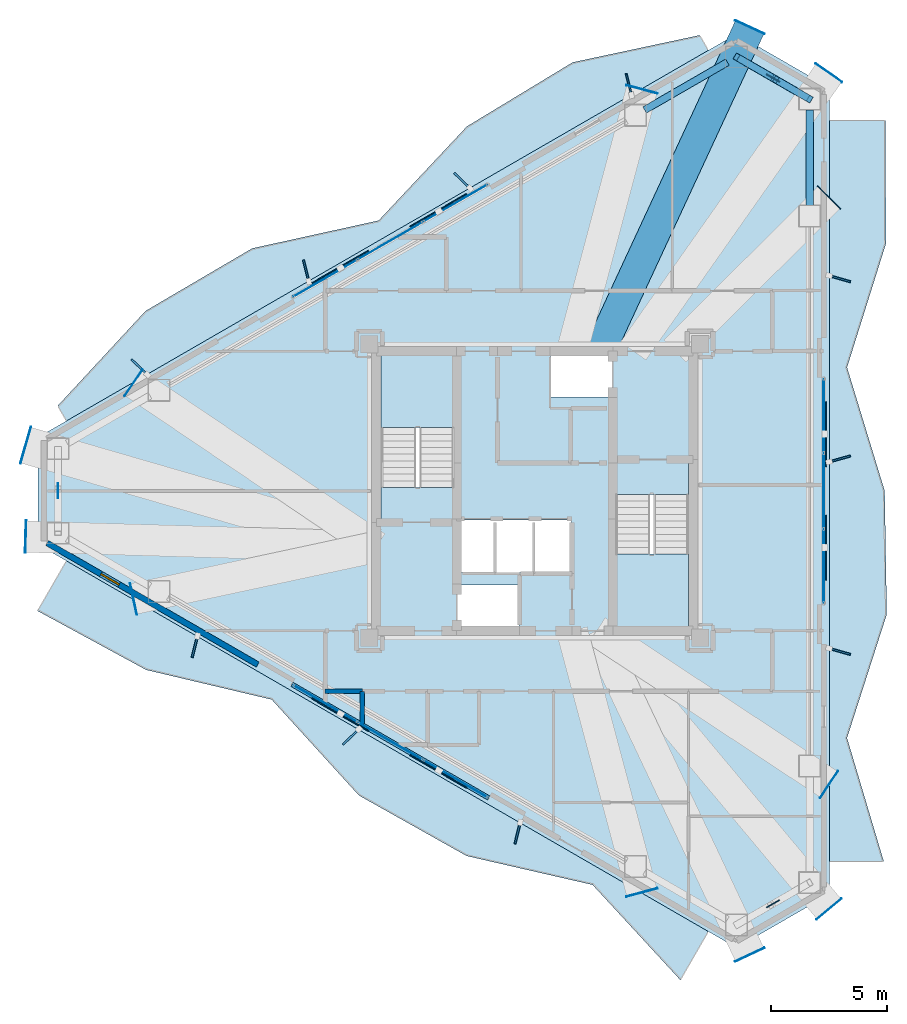
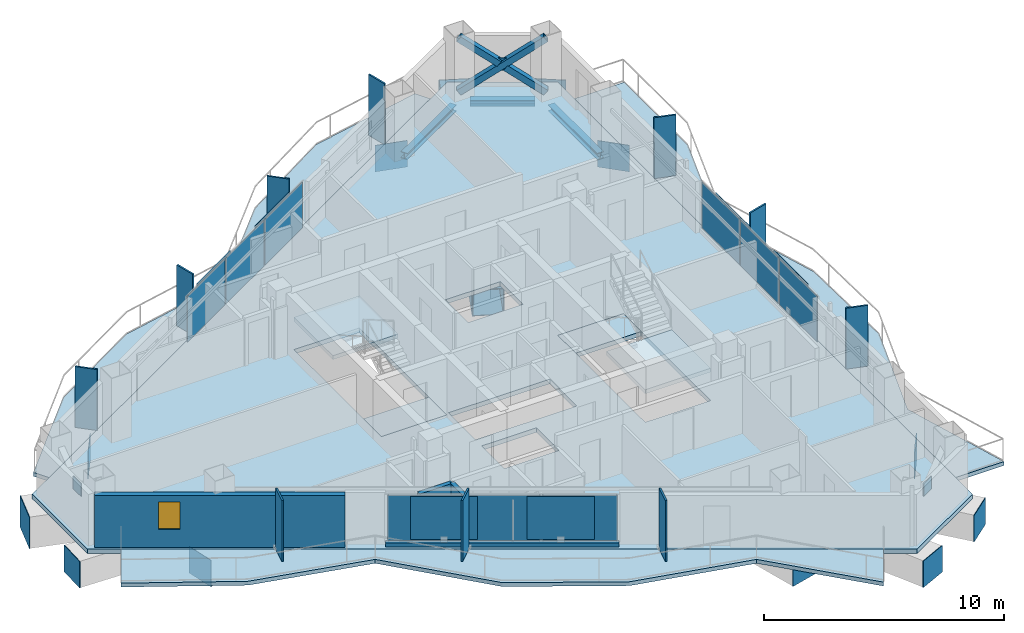
# One storey, part 16 of 22: 40 plates, 8 slabs, 4 beams, 4 walls, 3 members, 1 window, 1 opening, 5 elements without a shape of their own.
"""IFC4 building model written with IfcOpenShell, lengths in metres."""

from ifc_helpers import new_model, si_unit, direction, frame, frame_2d, origin, origin_2d, place, context, subcontext, project, spatial, polyline, rectangle, hollow_rectangle, i_section, outline, extrude, material, layer, layer_set, material_profile, profile_set, type_object, element, fill, aggregate, save


model = new_model("IFC4")

# Units and contexts
model_context = context("Model", 3, precision=1e-05, world=origin(), true_north=direction((0.0, 1.0)))
body_context = subcontext(model_context, "Body", "Model", "MODEL_VIEW")
ifc_project = project(units=[si_unit("LENGTHUNIT", "METRE"), si_unit("AREAUNIT", "SQUARE_METRE"), si_unit("VOLUMEUNIT", "CUBIC_METRE"), si_unit("PLANEANGLEUNIT", "RADIAN"), si_unit("MASSUNIT", "GRAM", prefix="KILO")], contexts=[model_context])

# Site, building, storey
site_placement = place(None, origin())
site = spatial("IfcSite", under=ifc_project, at=site_placement, CompositionType="ELEMENT")
building_placement = place(site_placement, origin())
building = spatial("IfcBuilding", under=site, at=building_placement, Name="Mersakhor Tower and Convention Hall", CompositionType="ELEMENT")
storey_placement = place(building_placement, frame((0.0, 0.0, 167.39990234375)))
storey = spatial("IfcBuildingStorey", under=building, at=storey_placement, Name="L46", CompositionType="ELEMENT", Elevation=167.39990234375)

# Beams
ifc_material_1 = material(Name="Steel S355", Category="steel")
ifc_material_profile_1 = material_profile(ifc_material_1, i_section(OverallWidth=0.30908203125, OverallDepth=0.320556640625, WebThickness=0.013916015625, FlangeThickness=0.021728515625, at=origin_2d()), Name="UC 305x305x137")
ifc_profile_set_1 = profile_set([ifc_material_profile_1], Name="Steel S355")
beam_type_1 = type_object("IfcBeamType", Name="BM-SPD-UC305", PredefinedType="SPANDREL", material=ifc_profile_set_1)
beam_1_placement = place(storey_placement, frame((33.71630859375, 43.102783203125, -0.39013671875), z_axis=(0.86602202897, 0.500005845305, 0.0), x_axis=(-0.500005845305, 0.86602202897, 0.0)))
element("IfcBeam", 1, at=beam_1_placement, inside=storey, type_object=beam_type_1, Name="L46 Perimeter Spandrel Beam SPB-03", PredefinedType="SPANDREL", context=body_context, shape_type="SweptSolid", body=[
    extrude(i_section(OverallWidth=0.30908203125, OverallDepth=0.320556640625, WebThickness=0.013916015625, FlangeThickness=0.021728515625, at=origin_2d()), origin(), (0.0, 0.0, 1.0), 4.1015625),
])
beam_2_placement = place(storey_placement, frame((38.056396484375, 45.153564453125, -0.39013671875), z_axis=(0.866050945225, -0.499955758317, 0.0), x_axis=(0.499955758317, 0.866050945225, 0.0)))
element("IfcBeam", 2, at=beam_2_placement, inside=storey, type_object=beam_type_1, Name="L46 Perimeter Spandrel Beam SPB-04", PredefinedType="SPANDREL", context=body_context, shape_type="SweptSolid", body=[
    extrude(i_section(OverallWidth=0.30908203125, OverallDepth=0.320556640625, WebThickness=0.013916015625, FlangeThickness=0.021728515625, at=origin_2d()), origin(), (0.0, 0.0, 1.0), 2.717529296875),
])
beam_3_placement = place(storey_placement, frame((40.8037109375, 43.1123046875, -0.39013671875), z_axis=(0.0, -1.0, 0.0), x_axis=(1.0, 0.0, 0.0)))
element("IfcBeam", 3, at=beam_3_placement, inside=storey, type_object=beam_type_1, Name="L46 Perimeter Spandrel Beam SPB-05", PredefinedType="SPANDREL", context=body_context, shape_type="SweptSolid", body=[
    extrude(i_section(OverallWidth=0.30908203125, OverallDepth=0.320556640625, WebThickness=0.013916015625, FlangeThickness=0.021728515625, at=origin_2d()), origin(), (0.0, 0.0, 1.0), 4.1015625),
])
ifc_material_2 = material(Name="Steel S460", Category="steel")
ifc_material_profile_2 = material_profile(ifc_material_2, hollow_rectangle(XDim=1.35009765625, YDim=1.35009765625, WallThickness=0.035888671875, at=origin_2d()), Name="SHS 1350x1350x36")
ifc_profile_set_2 = profile_set([ifc_material_profile_2], Name="Steel S460")
beam_type_2 = type_object("IfcBeamType", Name="BM-TR-BOX1350", PredefinedType="BEAM", material=ifc_profile_set_2)
beam_4_placement = place(storey_placement, frame((38.220458984375, 46.644775390625, -0.90478515625), z_axis=(-0.420496221776, -0.907294289342, 0.0), x_axis=(0.907294289342, -0.420496221776, 0.0)))
element("IfcBeam", 4, at=beam_4_placement, inside=storey, type_object=beam_type_2, Name="L46 Taper Step Transfer Girder STG-04", PredefinedType="BEAM", context=body_context, shape_type="SweptSolid", body=[
    extrude(hollow_rectangle(XDim=1.35009765625, YDim=1.35009765625, WallThickness=0.035888671875, at=origin_2d()), origin(), (0.0, 0.0, 1.0), 15.314453125),
])

# Members
ifc_material_3 = material(Name="Steel S355", Category="steel")
ifc_material_profile_3 = material_profile(ifc_material_3, hollow_rectangle(XDim=0.300048828125, YDim=0.300048828125, WallThickness=0.01611328125, at=origin_2d()), Name="SHS 300x300x16")
ifc_profile_set_3 = profile_set([ifc_material_profile_3], Name="Steel S355")
member_type = type_object("IfcMemberType", Name="MB-BRC-SHS300", PredefinedType="BRACE", material=ifc_profile_set_3)
member_1_placement = place(storey_placement, frame((37.662353515625, 45.381103515625, 0.150146484375), z_axis=(0.692864927455, -0.400038357508, 0.599922915736), x_axis=(0.500011816409, 0.86601858147, 0.0)))
element("IfcMember", 5, at=member_1_placement, inside=storey, type_object=member_type, Name="L46 Chamfer Braced Frame Diagonal CB-1A", PredefinedType="BRACE", context=body_context, shape_type="SweptSolid", body=[
    extrude(hollow_rectangle(XDim=0.300048828125, YDim=0.300048828125, WallThickness=0.01611328125, at=origin_2d()), origin(), (0.0, 0.0, 1.0), 4.533935546875),
])
member_2_placement = place(storey_placement, frame((40.8037109375, 43.5673828125, 0.150146484375), z_axis=(-0.69284958613, 0.400011198964, 0.599958741668), x_axis=(-0.499994660107, -0.866028486751, 0.0)))
element("IfcMember", 6, at=member_2_placement, inside=storey, type_object=member_type, Name="L46 Chamfer Braced Frame Diagonal CB-1B Lower Half", PredefinedType="BRACE", context=body_context, shape_type="SweptSolid", body=[
    extrude(hollow_rectangle(XDim=0.300048828125, YDim=0.300048828125, WallThickness=0.01611328125, at=origin_2d()), origin(), (0.0, 0.0, 1.0), 2.1025390625),
])
member_3_placement = place(storey_placement, frame((39.119140625, 44.539794921875, 1.608642578125), z_axis=(-0.692817403109, 0.400108726515, 0.599930873448), x_axis=(-0.500103501282, -0.865965639045, 0.0)))
element("IfcMember", 7, at=member_3_placement, inside=storey, type_object=member_type, Name="L46 Chamfer Braced Frame Diagonal CB-1B Upper Half", PredefinedType="BRACE", context=body_context, shape_type="SweptSolid", body=[
    extrude(hollow_rectangle(XDim=0.300048828125, YDim=0.300048828125, WallThickness=0.01611328125, at=origin_2d()), origin(), (0.0, 0.0, 1.0), 2.102783203125),
])

# Curtain wall, plates
ifc_material_4 = material(Name="Dark solar low-E aluminium curtain wall", Category="aluminium")
ifc_layer_1 = layer(ifc_material_4, 0.169921875)
ifc_layer_set_1 = layer_set([ifc_layer_1], Name="Dark solar low-E aluminium curtain wall")
curtain_wall_type = type_object("IfcCurtainWallType", Name="CW-SYS-02", PredefinedType="USERDEFINED", material=ifc_layer_set_1)
curtain_wall_1_placement = place(storey_placement, origin())
curtain_wall_1 = element("IfcCurtainWall", 8, at=curtain_wall_1_placement, inside=storey, type_object=curtain_wall_type, Name="L46 Dark-Glass Curtain Wall F1-B2", ObjectType="CURTAIN WALL", PredefinedType="USERDEFINED")
ifc_material_5 = material(Name="Dark solar double glazing", Category="glass")
ifc_layer_2 = layer(ifc_material_5, 0.028076171875)
ifc_layer_set_2 = layer_set([ifc_layer_2], Name="Dark solar double glazing")
plate_type_1 = type_object("IfcPlateType", Name="CWP-GLZ-28", PredefinedType="CURTAIN_PANEL", material=ifc_layer_set_2)
plate_1_placement = place(storey_placement, frame((20.001953125, 35.877685546875, 0.26025390625), z_axis=(0.0, 0.0, 1.0), x_axis=(0.866026278978, 0.499998484116, 0.0)))
plate_1 = element("IfcPlate", 9, at=plate_1_placement, type_object=plate_type_1, Name="CW-02 panel 1.1", PredefinedType="CURTAIN_PANEL", context=body_context, shape_type="SweptSolid", body=[
    extrude(rectangle(XDim=3.135009765625, YDim=0.028076171875, at=origin_2d()), origin(), (0.0, 0.0, 1.0), 2.320068359375),
])
plate_2_placement = place(storey_placement, frame((22.798095703125, 37.491943359375, 0.26025390625), z_axis=(0.0, 0.0, 1.0), x_axis=(0.866026278978, 0.499998484116, 0.0)))
plate_2 = element("IfcPlate", 10, at=plate_2_placement, type_object=plate_type_1, Name="CW-02 panel 2.1", PredefinedType="CURTAIN_PANEL", context=body_context, shape_type="SweptSolid", body=[
    extrude(rectangle(XDim=3.17236328125, YDim=0.028076171875, at=origin_2d()), origin(), (0.0, 0.0, 1.0), 2.320068359375),
])
plate_3_placement = place(storey_placement, frame((25.59423828125, 39.1064453125, 0.26025390625), z_axis=(0.0, 0.0, 1.0), x_axis=(0.866026278978, 0.499998484116, 0.0)))
plate_3 = element("IfcPlate", 11, at=plate_3_placement, type_object=plate_type_1, Name="CW-02 panel 3.1", PredefinedType="CURTAIN_PANEL", context=body_context, shape_type="SweptSolid", body=[
    extrude(rectangle(XDim=3.135009765625, YDim=0.028076171875, at=origin_2d()), origin(), (0.0, 0.0, 1.0), 2.320068359375),
])
aggregate(curtain_wall_1, [plate_1, plate_2, plate_3])

curtain_wall_2_placement = place(storey_placement, origin())
curtain_wall_2 = element("IfcCurtainWall", 12, at=curtain_wall_2_placement, inside=storey, type_object=curtain_wall_type, Name="L46 Dark-Glass Curtain Wall F2-B2", ObjectType="CURTAIN WALL", PredefinedType="USERDEFINED")
plate_4_placement = place(storey_placement, frame((41.40380859375, 29.978759765625, 0.26025390625), z_axis=(0.0, 0.0, 1.0), x_axis=(0.0, -1.0, 0.0)))
plate_4 = element("IfcPlate", 13, at=plate_4_placement, type_object=plate_type_1, Name="CW-02 panel 1.1", PredefinedType="CURTAIN_PANEL", context=body_context, shape_type="SweptSolid", body=[
    extrude(rectangle(XDim=3.135009765625, YDim=0.028076171875, at=origin_2d()), origin(), (0.0, 0.0, 1.0), 2.320068359375),
])
plate_5_placement = place(storey_placement, frame((41.40380859375, 26.75, 0.26025390625), z_axis=(0.0, 0.0, 1.0), x_axis=(0.0, -1.0, 0.0)))
plate_5 = element("IfcPlate", 14, at=plate_5_placement, type_object=plate_type_1, Name="CW-02 panel 2.1", PredefinedType="CURTAIN_PANEL", context=body_context, shape_type="SweptSolid", body=[
    extrude(rectangle(XDim=3.17236328125, YDim=0.028076171875, at=origin_2d()), origin(), (0.0, 0.0, 1.0), 2.320068359375),
])
plate_6_placement = place(storey_placement, frame((41.40380859375, 23.521240234375, 0.26025390625), z_axis=(0.0, 0.0, 1.0), x_axis=(0.0, -1.0, 0.0)))
plate_6 = element("IfcPlate", 15, at=plate_6_placement, type_object=plate_type_1, Name="CW-02 panel 3.1", PredefinedType="CURTAIN_PANEL", context=body_context, shape_type="SweptSolid", body=[
    extrude(rectangle(XDim=3.135009765625, YDim=0.028076171875, at=origin_2d()), origin(), (0.0, 0.0, 1.0), 2.320068359375),
])
aggregate(curtain_wall_2, [plate_4, plate_5, plate_6])

curtain_wall_3_placement = place(storey_placement, origin())
curtain_wall_3 = element("IfcCurtainWall", 16, at=curtain_wall_3_placement, inside=storey, type_object=curtain_wall_type, Name="L46 Dark-Glass Curtain Wall F3-B2", ObjectType="CURTAIN WALL", PredefinedType="USERDEFINED")
plate_7_placement = place(storey_placement, frame((25.59423828125, 14.3935546875, 0.26025390625), z_axis=(0.0, 0.0, 1.0), x_axis=(-0.866026278978, 0.499998484116, 0.0)))
plate_7 = element("IfcPlate", 17, at=plate_7_placement, type_object=plate_type_1, Name="CW-02 panel 1.1", PredefinedType="CURTAIN_PANEL", context=body_context, shape_type="SweptSolid", body=[
    extrude(rectangle(XDim=3.135009765625, YDim=0.028076171875, at=origin_2d()), origin(), (0.0, 0.0, 1.0), 2.320068359375),
])
plate_8_placement = place(storey_placement, frame((22.798095703125, 16.008056640625, 0.26025390625), z_axis=(0.0, 0.0, 1.0), x_axis=(-0.866026278978, 0.499998484116, 0.0)))
plate_8 = element("IfcPlate", 18, at=plate_8_placement, type_object=plate_type_1, Name="CW-02 panel 2.1", PredefinedType="CURTAIN_PANEL", context=body_context, shape_type="SweptSolid", body=[
    extrude(rectangle(XDim=3.17236328125, YDim=0.028076171875, at=origin_2d()), origin(), (0.0, 0.0, 1.0), 2.320068359375),
])
plate_9_placement = place(storey_placement, frame((20.001953125, 17.622314453125, 0.26025390625), z_axis=(0.0, 0.0, 1.0), x_axis=(-0.866026278978, 0.499998484116, 0.0)))
plate_9 = element("IfcPlate", 19, at=plate_9_placement, type_object=plate_type_1, Name="CW-02 panel 3.1", PredefinedType="CURTAIN_PANEL", context=body_context, shape_type="SweptSolid", body=[
    extrude(rectangle(XDim=3.135009765625, YDim=0.028076171875, at=origin_2d()), origin(), (0.0, 0.0, 1.0), 2.320068359375),
])
aggregate(curtain_wall_3, [plate_7, plate_8, plate_9])

# Plates
ifc_material_6 = material(Name="Steel S355", Category="steel")
ifc_layer_3 = layer(ifc_material_6, 0.031982421875)
ifc_layer_set_3 = layer_set([ifc_layer_3], Name="Steel S355")
plate_type_2 = type_object("IfcPlateType", Name="PL-CAP-32", PredefinedType="SHEET", material=ifc_layer_set_3)
plate_10_placement = place(storey_placement, frame((7.14501953125, 28.716796875, -1.829833984375), z_axis=(0.0, 0.0, 1.0), x_axis=(0.960439633437, -0.278488259221, 0.0)))
element("IfcPlate", 20, at=plate_10_placement, inside=storey, type_object=plate_type_2, Name="L46 Step Transfer End Cap Plate SCEP-01", PredefinedType="SHEET", context=body_context, shape_type="SweptSolid", body=[
    extrude(rectangle(XDim=0.031982421875, YDim=1.639892578125, at=origin_2d()), origin(), (0.0, 0.0, 1.0), 1.60009765625),
])
for number, where, z_axis, x_axis, name in (
    (21, (11.77490234375, 31.393310546875, -1.579833984375), (0.0, 0.0, 1.0), (0.828646980263, -0.559771544562, 0.0), "L46 Step Transfer End Cap Plate SCEP-02"),
    (22, (33.5966796875, 43.98828125, -1.579833984375), (0.0, 0.0, 1.0), (-0.257638751216, -0.966241312443, 0.0), "L46 Step Transfer End Cap Plate SCEP-03"),
    (23, (38.227294921875, 46.6591796875, -1.579833984375), (0.0, 0.0, 1.0), (-0.420560828539, -0.907264343782, 0.0), "L46 Step Transfer End Cap Plate SCEP-04"),
    (24, (41.62841796875, 44.69580078125, -1.579833984375), (0.0, 0.0, 1.0), (-0.575433555394, -0.817848533243, 0.0), "L46 Step Transfer End Cap Plate SCEP-05"),
    (25, (41.630615234375, 39.35009765625, -1.579833984375), (0.0, 0.0, 1.0), (-0.707970147154, -0.706242359774, 0.0), "L46 Step Transfer End Cap Plate SCEP-06"),
    (26, (41.632568359375, 14.152587890625, -1.579833984375), (0.0, 0.0, 1.0), (-0.834270943529, 0.551354688728, 0.0), "L46 Step Transfer End Cap Plate SCEP-07"),
    (27, (41.62939453125, 8.80517578125, -1.579833984375), (0.0, 0.0, 1.0), (-0.641181801339, 0.767389013234, 0.0), "L46 Step Transfer End Cap Plate SCEP-08"),
    (28, (38.227294921875, 6.8408203125, -1.579833984375), (0.0, 0.0, 1.0), (-0.427515649049, 0.904007947873, 0.0), "L46 Step Transfer End Cap Plate SCEP-09"),
    (29, (33.5966796875, 9.51171875, -1.579833984375), (0.0, 0.0, 1.0), (-0.257638751216, 0.966241312443, 0.0), "L46 Step Transfer End Cap Plate SCEP-10"),
    (30, (11.772705078125, 22.1123046875, -1.579833984375), (0.0, 0.0, 1.0), (0.977746636525, 0.209789215079, 0.0), "L46 Step Transfer End Cap Plate SCEP-11"),
    (31, (7.144287109375, 24.7880859375, -1.579833984375), (0.0, 0.0, 1.0), (0.99957525631, -0.029142871724, 0.0), "L46 Step Transfer End Cap Plate SCEP-12"),
):
    element("IfcPlate", number, at=place(storey_placement, frame(where, z_axis=z_axis, x_axis=x_axis)), inside=storey, type_object=plate_type_2, Name=name, PredefinedType="SHEET", context=body_context, shape_type="SweptSolid", body=[
        extrude(rectangle(XDim=0.031982421875, YDim=1.389892578125, at=origin_2d()), origin(), (0.0, 0.0, 1.0), 1.35009765625),
    ])
ifc_material_7 = material(Name="Ceramic-clad aluminium Zone 4 terracotta-coral", Category="masonry")
ifc_material_8 = material(Name="Ceramic-clad aluminium Zone 1 cobalt-slate", Category="masonry")
ifc_layer_4 = layer(ifc_material_8, 0.080078125)
ifc_layer_set_4 = layer_set([ifc_layer_4], Name="Ceramic-clad aluminium Zone 1 cobalt-slate")
plate_type_3 = type_object("IfcPlateType", Name="PL-FIN-80", PredefinedType="USERDEFINED", material=ifc_layer_set_4)
for number, where, z_axis, x_axis, name in (
    (32, (12.02880859375, 32.067138671875, 0.0), (0.0, 0.0, 1.0), (-0.719339800339, 0.694658370459, 0.0), "L46 Zone 4 Coloured Brise-Soleil Fin F1-1"),
    (33, (19.18359375, 36.197998046875, 0.0), (0.0, 0.0, 1.0), (-0.2419218956, 0.970295726276, 0.0), "L46 Zone 4 Coloured Brise-Soleil Fin F1-2"),
    (34, (25.88525390625, 40.067138671875, 0.0), (0.0, 0.0, 1.0), (-0.719339800339, 0.694658370459, 0.0), "L46 Zone 4 Coloured Brise-Soleil Fin F1-3"),
    (35, (33.0400390625, 44.197998046875, 0.0), (0.0, 0.0, 1.0), (-0.2419218956, 0.970295726276, 0.0), "L46 Zone 4 Coloured Brise-Soleil Fin F1-4"),
    (36, (42.09033203125, 35.8603515625, 0.0), (0.0, 0.0, 1.0), (0.961261695938, -0.275637355817, 0.0), "L46 Zone 4 Coloured Brise-Soleil Fin F2-1"),
    (37, (42.09033203125, 28.122314453125, 0.0), (0.0, 0.0, 1.0), (0.961261695938, 0.275637355817, 0.0), "L46 Zone 4 Coloured Brise-Soleil Fin F2-2"),
    (38, (42.09033203125, 19.8603515625, 0.0), (0.0, 0.0, 1.0), (0.961261695938, -0.275637355817, 0.0), "L46 Zone 4 Coloured Brise-Soleil Fin F2-3"),
    (39, (28.261962890625, 12.060546875, 0.0), (0.0, 0.0, 1.0), (-0.2419218956, -0.970295726276, 0.0), "L46 Zone 4 Coloured Brise-Soleil Fin F3-1"),
    (40, (21.107177734375, 16.19140625, 0.0), (0.0, 0.0, 1.0), (-0.719339800339, -0.694658370459, 0.0), "L46 Zone 4 Coloured Brise-Soleil Fin F3-2"),
    (41, (14.405517578125, 20.060546875, 0.0), (0.0, 0.0, 1.0), (-0.2419218956, -0.970295726276, 0.0), "L46 Zone 4 Coloured Brise-Soleil Fin F3-3"),
):
    element("IfcPlate", number, at=place(storey_placement, frame(where, z_axis=z_axis, x_axis=x_axis)), inside=storey, type_object=plate_type_3, material=ifc_material_7, Name=name, ObjectType="FIN", PredefinedType="USERDEFINED", context=body_context, shape_type="SweptSolid", body=[
        extrude(rectangle(XDim=0.949951171875, YDim=0.080078125, at=origin_2d()), origin(), (0.0, 0.0, 1.0), 3.10009765625),
    ])
ifc_material_9 = material(Name="Steel S460", Category="steel")
ifc_layer_5 = layer(ifc_material_9, 0.0400390625)
ifc_layer_set_5 = layer_set([ifc_layer_5], Name="Steel S460")
plate_type_4 = type_object("IfcPlateType", Name="PL-GUSSET-40", PredefinedType="SHEET", material=ifc_layer_set_5)
for number, where, z_axis, x_axis, name in (
    (42, (39.233154296875, 44.47412109375, 1.18994140625), (0.0, 0.0, 1.0), (-0.866025403784, 0.5, 0.0), "L46 X-Brace Crossing Gusset Node Plate"),
    (43, (39.233154296875, 9.02587890625, 1.18994140625), (0.0, 0.0, 1.0), (0.866025403784, 0.5, 0.0), "L46 X-Brace Crossing Gusset Node Plate"),
    (44, (8.533935546875, 26.75, 1.18994140625), (0.0, 0.0, 1.0), (0.0, -1.0, 0.0), "L46 X-Brace Crossing Gusset Node Plate"),
):
    element("IfcPlate", number, at=place(storey_placement, frame(where, z_axis=z_axis, x_axis=x_axis)), inside=storey, type_object=plate_type_4, Name=name, PredefinedType="SHEET", context=body_context, shape_type="SweptSolid", body=[
        extrude(rectangle(XDim=0.639892578125, YDim=0.0400390625, at=origin_2d()), origin(), (0.0, 0.0, 1.0), 0.639892578125),
    ])
ifc_material_10 = material(Name="Perforated ceramic cobogo solar screen", Category="aluminium")
ifc_layer_6 = layer(ifc_material_10, 0.048095703125)
ifc_layer_set_6 = layer_set([ifc_layer_6], Name="Perforated ceramic cobogo solar screen")
plate_type_5 = type_object("IfcPlateType", Name="PL-SCR-48", PredefinedType="USERDEFINED", material=ifc_layer_set_6)
for number, where, z_axis, x_axis, name in (
    (45, (20.641845703125, 36.355712890625, 0.400146484375), (0.0, 0.0, 1.0), (0.866025403784, 0.5, 0.0), "L46 Perforated Ceramic Solar Screen F1-1"),
    (46, (24.8603515625, 38.791259765625, 0.400146484375), (0.0, 0.0, 1.0), (0.866025403784, 0.5, 0.0), "L46 Perforated Ceramic Solar Screen F1-2"),
    (47, (41.497802734375, 29.185546875, 0.400146484375), (0.0, 0.0, 1.0), (0.0, -1.0, 0.0), "L46 Perforated Ceramic Solar Screen F2-1"),
    (48, (41.497802734375, 24.314453125, 0.400146484375), (0.0, 0.0, 1.0), (0.0, -1.0, 0.0), "L46 Perforated Ceramic Solar Screen F2-2"),
    (49, (24.8603515625, 14.708740234375, 0.400146484375), (0.0, 0.0, 1.0), (-0.866025403784, 0.5, 0.0), "L46 Perforated Ceramic Solar Screen F3-1"),
    (50, (20.641845703125, 17.144287109375, 0.400146484375), (0.0, 0.0, 1.0), (-0.866025403784, 0.5, 0.0), "L46 Perforated Ceramic Solar Screen F3-2"),
):
    element("IfcPlate", number, at=place(storey_placement, frame(where, z_axis=z_axis, x_axis=x_axis)), inside=storey, type_object=plate_type_5, Name=name, ObjectType="SCREEN", PredefinedType="USERDEFINED", context=body_context, shape_type="SweptSolid", body=[
        extrude(rectangle(XDim=2.800048828125, YDim=0.048095703125, at=origin_2d()), origin(), (0.0, 0.0, 1.0), 2.18994140625),
    ])

# Slabs
ifc_material_11 = material(Name="Concrete C45/55", Category="concrete")
ifc_layer_7 = layer(ifc_material_11, 0.199951171875)
ifc_layer_set_7 = layer_set([ifc_layer_7], Name="Concrete C45/55")
slab_type_1 = type_object("IfcSlabType", Name="SL-BAL-200", PredefinedType="FLOOR", material=ifc_layer_set_7)
slab_1_placement = place(storey_placement, frame((0.0, 0.0, -0.199951171875)))
element("IfcSlab", 51, at=slab_1_placement, inside=storey, type_object=slab_type_1, Name="L46 Sinusoidal Balcony Slab Face 1", PredefinedType="FLOOR", context=body_context, shape_type="SweptSolid", body=[
    extrude(outline(polyline([(8.896240234375, 29.75439453125), (36.449951171875, 45.66259765625), (36.074951171875, 46.31201171875), (30.624267578125, 45.147705078125), (26.08837890625, 42.3984375), (22.298095703125, 38.35791015625), (16.86572265625, 37.16162109375), (12.29248046875, 34.4775390625), (8.521240234375, 30.404052734375), (8.896240234375, 29.75439453125)])), origin(), (0.0, 0.0, 1.0), 0.199951171875),
])
slab_2_placement = place(storey_placement, frame((0.0, 0.0, -0.199951171875)))
element("IfcSlab", 52, at=slab_2_placement, inside=storey, type_object=slab_type_1, Name="L46 Sinusoidal Balcony Slab Face 2", PredefinedType="FLOOR", context=body_context, shape_type="SweptSolid", body=[
    extrude(outline(polyline([(41.65380859375, 42.657958984375), (41.65380859375, 10.842041015625), (43.981689453125, 10.842041015625), (42.40380859375, 16.144775390625), (44.108642578125, 21.447265625), (44.0205078125, 26.75), (42.40380859375, 32.052734375), (44.0712890625, 37.355224609375), (44.058837890625, 42.657958984375), (41.65380859375, 42.657958984375)])), origin(), (0.0, 0.0, 1.0), 0.199951171875),
])
slab_3_placement = place(storey_placement, frame((0.0, 0.0, -0.199951171875)))
element("IfcSlab", 53, at=slab_3_placement, inside=storey, type_object=slab_type_1, Name="L46 Sinusoidal Balcony Slab Face 3", PredefinedType="FLOOR", context=body_context, shape_type="SweptSolid", body=[
    extrude(outline(polyline([(36.449951171875, 7.83740234375), (8.896240234375, 23.74560546875), (7.65673828125, 21.598388671875), (12.318115234375, 19.06689453125), (17.705810546875, 17.793212890625), (21.451904296875, 13.67626953125), (26.07568359375, 11.079345703125), (31.482666015625, 9.83935546875), (35.247314453125, 5.754638671875), (36.449951171875, 7.83740234375)])), origin(), (0.0, 0.0, 1.0), 0.199951171875),
])
ifc_material_12 = material(Name="Concrete C40/50", Category="concrete")
ifc_layer_8 = layer(ifc_material_12, 0.22998046875)
ifc_layer_set_8 = layer_set([ifc_layer_8], Name="Concrete C40/50")
slab_type_2 = type_object("IfcSlabType", Name="SL-FLR-230", PredefinedType="FLOOR", material=ifc_layer_set_8)
slab_4_placement = place(storey_placement, frame((0.0, 0.0, -0.22998046875)))
element("IfcSlab", 54, at=slab_4_placement, inside=storey, type_object=slab_type_2, Name="L46 ST-1 Structural Stair Floor Landing", PredefinedType="LANDING", context=body_context, shape_type="SweptSolid", body=[
    extrude(outline(polyline([(25.550048828125, 25.39990234375), (25.550048828125, 26.89990234375), (22.39990234375, 26.89990234375), (22.39990234375, 25.39990234375), (25.550048828125, 25.39990234375)])), origin(), (0.0, 0.0, 1.0), 0.22998046875),
])
slab_5_placement = place(storey_placement, frame((0.0, 0.0, -0.22998046875)))
element("IfcSlab", 55, at=slab_5_placement, inside=storey, type_object=slab_type_2, Name="L46 ST-2 Structural Stair Floor Landing", PredefinedType="LANDING", context=body_context, shape_type="SweptSolid", body=[
    extrude(outline(polyline([(32.449951171875, 28.10009765625), (32.449951171875, 26.60009765625), (35.60009765625, 26.60009765625), (35.60009765625, 28.10009765625), (32.449951171875, 28.10009765625)])), origin(), (0.0, 0.0, 1.0), 0.22998046875),
])
slab_6_placement = place(storey_placement, frame((0.0, 0.0, -0.22998046875)))
element("IfcSlab", 56, at=slab_6_placement, inside=storey, type_object=slab_type_2, Name="Tower L46 Structural Floor Slab", PredefinedType="FLOOR", context=body_context, shape_type="SweptSolid", body=[
    extrude(outline(polyline([(7.683837890625, 29.054443359375), (37.662353515625, 46.362548828125), (41.65380859375, 44.05810546875), (41.65380859375, 9.44189453125), (37.662353515625, 7.137451171875), (7.683837890625, 24.445556640625), (7.683837890625, 29.054443359375)]), holes=[polyline([(25.550048828125, 25.39990234375), (25.550048828125, 32.699951171875), (22.39990234375, 32.699951171875), (22.39990234375, 25.39990234375), (25.550048828125, 25.39990234375)]), polyline([(32.449951171875, 28.10009765625), (32.449951171875, 20.800048828125), (35.60009765625, 20.800048828125), (35.60009765625, 28.10009765625), (32.449951171875, 28.10009765625)]), polyline([(25.679931640625, 20.820068359375), (25.679931640625, 22.719970703125), (28.320068359375, 22.719970703125), (28.320068359375, 20.820068359375), (25.679931640625, 20.820068359375)]), polyline([(29.679931640625, 30.780029296875), (29.679931640625, 32.679931640625), (32.320068359375, 32.679931640625), (32.320068359375, 30.780029296875), (29.679931640625, 30.780029296875)]), polyline([(25.679931640625, 23.25), (25.679931640625, 25.5), (30.570068359375, 25.5), (30.570068359375, 23.25), (25.679931640625, 23.25)])]), origin(), (0.0, 0.0, 1.0), 0.22998046875),
])

# Stair, slab
ifc_material_13 = material(Name="Concrete C45/55", Category="concrete")
stair_type = type_object("IfcStairType", Name="ST-TWR-20R", PredefinedType="HALF_TURN_STAIR", material=ifc_material_13)
stair_1_placement = place(storey_placement, origin())
stair_1 = element("IfcStair", 57, at=stair_1_placement, inside=storey, type_object=stair_type, Name="L46 Tower Protected Exit Stair ST-1", PredefinedType="HALF_TURN_STAIR")
ifc_material_14 = material(Name="Concrete C45/55", Category="concrete")
ifc_layer_9 = layer(ifc_material_14, 0.199951171875)
ifc_layer_set_9 = layer_set([ifc_layer_9], Name="Concrete C45/55")
slab_type_3 = type_object("IfcSlabType", Name="SL-LAND-200", PredefinedType="LANDING", material=ifc_layer_set_9)
slab_7_placement = place(storey_placement, frame((0.0, 0.0, 1.4501953125)))
slab_7 = element("IfcSlab", 58, at=slab_7_placement, type_object=slab_type_3, Name="ST-1 landing 1", PredefinedType="LANDING", context=body_context, shape_type="SweptSolid", body=[
    extrude(outline(polyline([(25.550048828125, 29.465087890625), (25.550048828125, 32.699951171875), (22.39990234375, 32.699951171875), (22.39990234375, 29.465087890625), (25.550048828125, 29.465087890625)])), origin(), (0.0, 0.0, 1.0), 0.199951171875),
])
aggregate(stair_1, [slab_7])

stair_2_placement = place(storey_placement, origin())
stair_2 = element("IfcStair", 59, at=stair_2_placement, inside=storey, type_object=stair_type, Name="L46 Tower Protected Exit Stair ST-2", PredefinedType="HALF_TURN_STAIR")
slab_8_placement = place(storey_placement, frame((0.0, 0.0, 1.4501953125)))
slab_8 = element("IfcSlab", 60, at=slab_8_placement, type_object=slab_type_3, Name="ST-2 landing 1", PredefinedType="LANDING", context=body_context, shape_type="SweptSolid", body=[
    extrude(outline(polyline([(32.449951171875, 24.034912109375), (32.449951171875, 20.800048828125), (35.60009765625, 20.800048828125), (35.60009765625, 24.034912109375), (32.449951171875, 24.034912109375)])), origin(), (0.0, 0.0, 1.0), 0.199951171875),
])
aggregate(stair_2, [slab_8])

# Wall, opening, window
ifc_material_15 = material(Name="Precast concrete C40/50", Category="concrete")
ifc_layer_10 = layer(ifc_material_15, 0.25)
ifc_layer_set_10 = layer_set([ifc_layer_10], Name="Precast concrete C40/50")
wall_type_1 = type_object("IfcWallType", Name="WL-EXT-250", PredefinedType="SOLIDWALL", material=ifc_layer_set_10)
wall_1_placement = place(storey_placement, frame((17.107177734375, 19.293701171875, 0.0), z_axis=(0.0, 0.0, 1.0), x_axis=(-0.866027516296, 0.499996341005, 0.0)))
wall_1 = element("IfcWall", 61, at=wall_1_placement, inside=storey, type_object=wall_type_1, Name="L46 Exterior Facade Wall F3-B3", PredefinedType="SOLIDWALL", context=body_context, shape_type="SweptSolid", body=[
    extrude(rectangle(XDim=10.4423828125, YDim=0.25, at=frame_2d((5.22119140625, 0.0))), origin(), (0.0, 0.0, 1.0), 2.64013671875),
])
opening_placement = place(wall_1_placement, frame((6.87109375, 0.0, 0.89990234375)))
opening = element("IfcOpeningElement", 62, at=opening_placement, cuts=wall_1, Name="Opening W-06", PredefinedType="OPENING", context=body_context, shape_type="SweptSolid", body=[
    extrude(rectangle(XDim=0.89990234375, YDim=1.39990234375, at=frame_2d((0.449951171875, 0.699951171875))), frame((0.0, 0.135009765625, 0.0), z_axis=(0.0, -1.0, 0.0), x_axis=(1.0, 0.0, 0.0)), (0.0, 0.0, 1.0), 0.27001953125),
])
ifc_material_16 = material(Name="Dark solar low-E glazed aluminium window", Category="aluminium")
window_type = type_object("IfcWindowType", Name="WN-STD-090x140", PartitioningType="SINGLE_PANEL", PredefinedType="WINDOW", material=ifc_material_16)
window_placement = place(opening_placement, origin())
window = element("IfcWindow", 63, at=window_placement, inside=storey, type_object=window_type, Name="L46 Facade Punched Window F3-B3", OverallHeight=1.39990234375, OverallWidth=0.89990234375, PartitioningType="SINGLE_PANEL", PredefinedType="WINDOW", context=body_context, shape_type="SweptSolid", body=[
    extrude(rectangle(XDim=0.89990234375, YDim=1.39990234375, at=frame_2d((0.449951171875, 0.699951171875))), frame((0.0, 0.030029296875, 0.0), z_axis=(0.0, -1.0, 0.0), x_axis=(1.0, 0.0, 0.0)), (0.0, 0.0, 1.0), 0.06005859375),
])
fill(opening, window)

# Walls
ifc_material_17 = material(Name="Precast concrete C40/50", Category="concrete")
ifc_layer_11 = layer(ifc_material_17, 0.199951171875)
ifc_layer_set_11 = layer_set([ifc_layer_11], Name="Precast concrete C40/50")
wall_type_2 = type_object("IfcWallType", Name="WL-PAR-200", PredefinedType="PARAPET", material=ifc_layer_set_11)
wall_2_placement = place(storey_placement, frame((27.0166015625, 13.572509765625, 0.0), z_axis=(0.0, 0.0, 1.0), x_axis=(-0.866026169916, 0.499998673018, 0.0)))
element("IfcWall", 64, at=wall_2_placement, inside=storey, type_object=wall_type_2, Name="L46 Curtain Wall Upstand Sill F3-B2", PredefinedType="PARAPET", context=body_context, shape_type="SweptSolid", body=[
    extrude(rectangle(XDim=9.7421875, YDim=0.199951171875, at=frame_2d((4.87109375, 0.0))), origin(), (0.0, 0.0, 1.0), 0.2001953125),
])
ifc_material_18 = material(Name="Acoustic concrete blockwork and gypsum board", Category="masonry")
ifc_layer_12 = layer(ifc_material_18, 0.199951171875)
ifc_layer_set_12 = layer_set([ifc_layer_12], Name="Acoustic concrete blockwork and gypsum board")
wall_type_3 = type_object("IfcWallType", Name="WL-PRT-200", PredefinedType="PARTITIONING", material=ifc_layer_set_12)
wall_3_placement = place(storey_placement, frame((21.60009765625, 18.14990234375, 0.0), z_axis=(0.0, 0.0, 1.0), x_axis=(-1.0, 0.0, 0.0)))
element("IfcWall", 65, at=wall_3_placement, inside=storey, type_object=wall_type_3, Name="L46 Interior Partition Wall P-042", PredefinedType="PARTITIONING", context=body_context, shape_type="SweptSolid", body=[
    extrude(rectangle(XDim=1.60009765625, YDim=0.199951171875, at=frame_2d((0.800048828125, 0.0))), origin(), (0.0, 0.0, 1.0), 2.364990234375),
])
wall_4_placement = place(storey_placement, frame((21.60009765625, 16.74365234375, 0.0), z_axis=(0.0, 0.0, 1.0), x_axis=(0.0, 1.0, 0.0)))
element("IfcWall", 66, at=wall_4_placement, inside=storey, type_object=wall_type_3, Name="L46 Interior Partition Wall P-085", PredefinedType="PARTITIONING", context=body_context, shape_type="SweptSolid", body=[
    extrude(rectangle(XDim=1.40625, YDim=0.199951171875, at=frame_2d((0.703125, 0.0))), origin(), (0.0, 0.0, 1.0), 2.364990234375),
])

save(model, "model.ifc")
